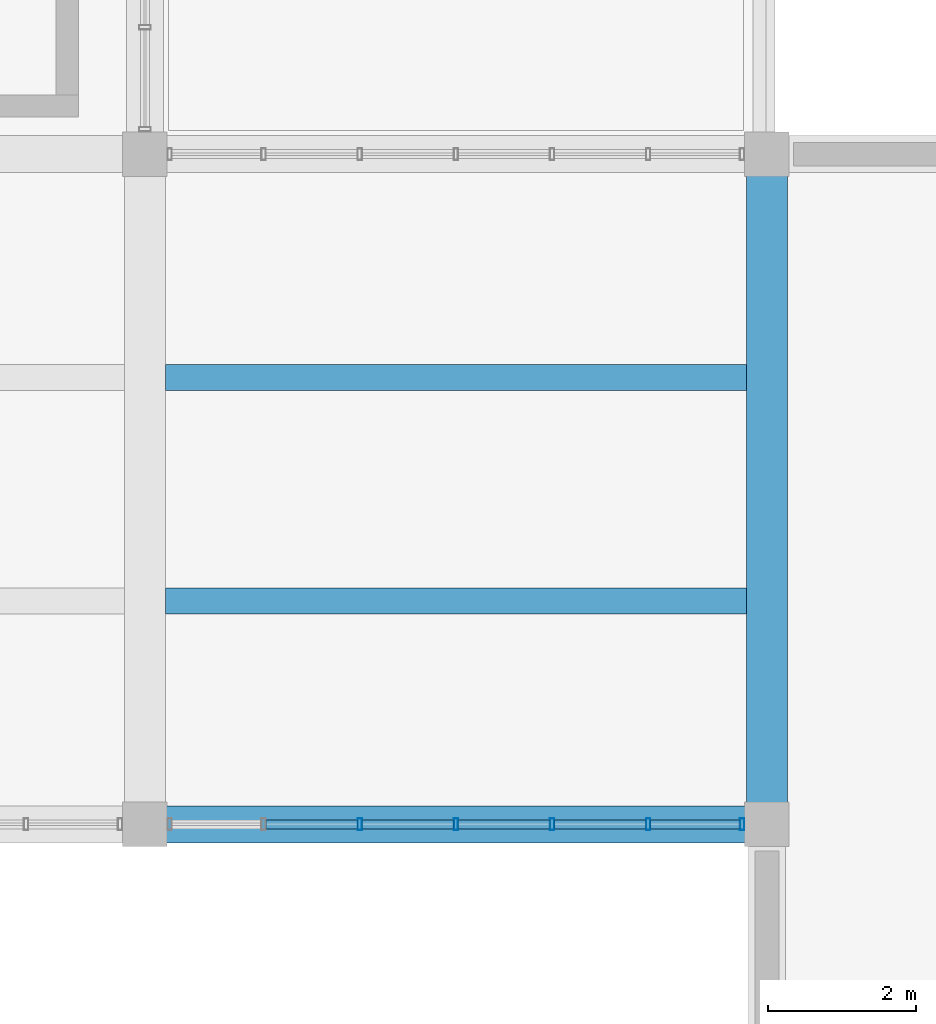
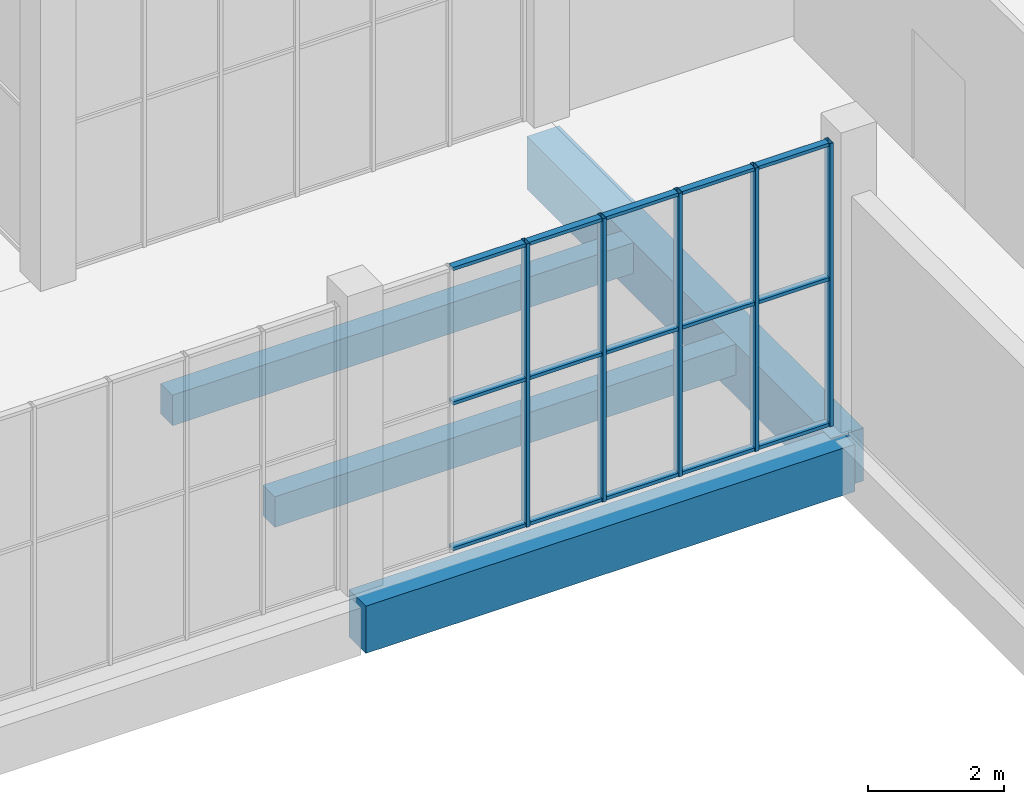
# One storey, part 78 of 132: 20 members, 4 beams, 1 element without a shape of its own.
"""IFC4 building model written with IfcOpenShell, lengths in metres."""

from ifc_helpers import new_model, si_unit, direction, frame, origin, origin_2d, place, context, subcontext, project, spatial, rectangle, hollow_rectangle, extrude, material, material_profile, profile_set, type_object, element, aggregate, save


model = new_model("IFC4")

# Units and contexts
model_context = context("Model", 3, precision=1e-05, world=origin(), true_north=direction((0.0, 1.0)))
body_context = subcontext(model_context, "Body", "Model", "MODEL_VIEW")
ifc_project = project(units=[si_unit("LENGTHUNIT", "METRE"), si_unit("AREAUNIT", "SQUARE_METRE"), si_unit("VOLUMEUNIT", "CUBIC_METRE"), si_unit("PLANEANGLEUNIT", "RADIAN"), si_unit("MASSUNIT", "GRAM", prefix="KILO")], contexts=[model_context])

# Site, building, storey
site_placement = place(None, origin())
site = spatial("IfcSite", under=ifc_project, at=site_placement, CompositionType="ELEMENT")
building_placement = place(site_placement, origin())
building = spatial("IfcBuilding", under=site, at=building_placement, Name="Khurvash Pelagic Aquarium", CompositionType="ELEMENT")
storey_placement = place(building_placement, frame((0.0, 0.0, 5.39990234375)))
storey = spatial("IfcBuildingStorey", under=building, at=storey_placement, Name="L01", CompositionType="ELEMENT", Elevation=5.39990234375)

# Beam
ifc_material_1 = material(Name="Concrete C40/50", Category="concrete")
ifc_material_profile_1 = material_profile(ifc_material_1, rectangle(XDim=0.550048828125, YDim=0.949951171875, at=origin_2d()), Name="RC550X950")
ifc_profile_set_1 = profile_set([ifc_material_profile_1], Name="Concrete C40/50")
beam_type_1 = type_object("IfcBeamType", Name="BM-02", PredefinedType="BEAM", material=ifc_profile_set_1)
beam_1_placement = place(storey_placement, frame((126.0, 75.0400390625, -0.784912109375), z_axis=(0.0, 1.0, 0.0), x_axis=(-1.0, 0.0, 0.0)))
element("IfcBeam", 1, at=beam_1_placement, inside=storey, type_object=beam_type_1, Name="L01 Primary Girder BM-02 00434", PredefinedType="BEAM", context=body_context, shape_type="SweptSolid", body=[
    extrude(rectangle(XDim=0.550048828125, YDim=0.949951171875, at=origin_2d()), origin(), (0.0, 0.0, 1.0), 8.969970703125),
])

# Curtain wall, members
ifc_material_2 = material(Name="Anodised aluminium and low-E laminated glass", Category="aluminium")
curtain_wall_type = type_object("IfcCurtainWallType", Name="CW-05", PredefinedType="USERDEFINED", material=ifc_material_2)
curtain_wall_placement = place(storey_placement, origin())
curtain_wall = element("IfcCurtainWall", 2, at=curtain_wall_placement, inside=storey, type_object=curtain_wall_type, Name="L01 Facade Unitised Curtain Wall CW-05 0143", ObjectType="UNITISED CURTAIN WALL", PredefinedType="USERDEFINED")
ifc_material_3 = material(Name="Extruded aluminium AW-6063-T6", Category="aluminium")
ifc_material_profile_2 = material_profile(ifc_material_3, hollow_rectangle(XDim=0.06005859375, YDim=0.159912109375, WallThickness=0.00390625, at=origin_2d()), Name="CWM60X160X4")
ifc_profile_set_2 = profile_set([ifc_material_profile_2], Name="Extruded aluminium AW-6063-T6")
member_type_1 = type_object("IfcMemberType", Name="CM-02", PredefinedType="MULLION", material=ifc_profile_set_2)
member_1_placement = place(storey_placement, frame((120.501708984375, 75.0, 0.0), z_axis=(0.0, 0.0, 1.0), x_axis=(1.0, 0.0, 0.0)))
member_1 = element("IfcMember", 3, at=member_1_placement, type_object=member_type_1, Name="CW-05 mullion 3", PredefinedType="MULLION", context=body_context, shape_type="SweptSolid", body=[
    extrude(hollow_rectangle(XDim=0.06005859375, YDim=0.159912109375, WallThickness=0.00390625, at=origin_2d()), origin(), (0.0, 0.0, 1.0), 5.10009765625),
])
member_2_placement = place(storey_placement, frame((121.800048828125, 75.0, 0.0), z_axis=(0.0, 0.0, 1.0), x_axis=(1.0, 0.0, 0.0)))
member_2 = element("IfcMember", 4, at=member_2_placement, type_object=member_type_1, Name="CW-05 mullion 4", PredefinedType="MULLION", context=body_context, shape_type="SweptSolid", body=[
    extrude(hollow_rectangle(XDim=0.06005859375, YDim=0.159912109375, WallThickness=0.00390625, at=origin_2d()), origin(), (0.0, 0.0, 1.0), 5.10009765625),
])
member_3_placement = place(storey_placement, frame((123.098388671875, 75.0, 0.0), z_axis=(0.0, 0.0, 1.0), x_axis=(1.0, 0.0, 0.0)))
member_3 = element("IfcMember", 5, at=member_3_placement, type_object=member_type_1, Name="CW-05 mullion 5", PredefinedType="MULLION", context=body_context, shape_type="SweptSolid", body=[
    extrude(hollow_rectangle(XDim=0.06005859375, YDim=0.159912109375, WallThickness=0.00390625, at=origin_2d()), origin(), (0.0, 0.0, 1.0), 5.10009765625),
])
member_4_placement = place(storey_placement, frame((124.396728515625, 75.0, 0.0), z_axis=(0.0, 0.0, 1.0), x_axis=(1.0, 0.0, 0.0)))
member_4 = element("IfcMember", 6, at=member_4_placement, type_object=member_type_1, Name="CW-05 mullion 6", PredefinedType="MULLION", context=body_context, shape_type="SweptSolid", body=[
    extrude(hollow_rectangle(XDim=0.06005859375, YDim=0.159912109375, WallThickness=0.00390625, at=origin_2d()), origin(), (0.0, 0.0, 1.0), 5.10009765625),
])
member_5_placement = place(storey_placement, frame((125.6650390625, 75.0, 0.0), z_axis=(0.0, 0.0, 1.0), x_axis=(1.0, 0.0, 0.0)))
member_5 = element("IfcMember", 7, at=member_5_placement, type_object=member_type_1, Name="CW-05 mullion 7", PredefinedType="MULLION", context=body_context, shape_type="SweptSolid", body=[
    extrude(hollow_rectangle(XDim=0.06005859375, YDim=0.159912109375, WallThickness=0.00390625, at=origin_2d()), origin(), (0.0, 0.0, 1.0), 5.10009765625),
])
ifc_material_profile_3 = material_profile(ifc_material_3, hollow_rectangle(XDim=0.1201171875, YDim=0.06005859375, WallThickness=0.00390625, at=origin_2d()), Name="CWT120X60X4")
ifc_profile_set_3 = profile_set([ifc_material_profile_3], Name="Extruded aluminium AW-6063-T6")
member_type_2 = type_object("IfcMemberType", Name="CT-02", PredefinedType="USERDEFINED", material=ifc_profile_set_3)
member_6_placement = place(storey_placement, frame((119.2333984375, 75.0, 0.030029296875), z_axis=(1.0, 0.0, 0.0), x_axis=(0.0, 1.0, 0.0)))
member_6 = element("IfcMember", 8, at=member_6_placement, type_object=member_type_2, Name="CW-05 transom 2.1", ObjectType="TRANSOM", PredefinedType="USERDEFINED", context=body_context, shape_type="SweptSolid", body=[
    extrude(hollow_rectangle(XDim=0.1201171875, YDim=0.06005859375, WallThickness=0.00390625, at=origin_2d()), origin(), (0.0, 0.0, 1.0), 1.23828125),
])
member_7_placement = place(storey_placement, frame((119.2333984375, 75.0, 2.652099609375), z_axis=(1.0, 0.0, 0.0), x_axis=(0.0, 1.0, 0.0)))
member_7 = element("IfcMember", 9, at=member_7_placement, type_object=member_type_2, Name="CW-05 transom 2.2", ObjectType="TRANSOM", PredefinedType="USERDEFINED", context=body_context, shape_type="SweptSolid", body=[
    extrude(hollow_rectangle(XDim=0.1201171875, YDim=0.06005859375, WallThickness=0.00390625, at=origin_2d()), origin(), (0.0, 0.0, 1.0), 1.23828125),
])
member_8_placement = place(storey_placement, frame((119.2333984375, 75.0, 5.070068359375), z_axis=(1.0, 0.0, 0.0), x_axis=(0.0, 1.0, 0.0)))
member_8 = element("IfcMember", 10, at=member_8_placement, type_object=member_type_2, Name="CW-05 transom 2.3", ObjectType="TRANSOM", PredefinedType="USERDEFINED", context=body_context, shape_type="SweptSolid", body=[
    extrude(hollow_rectangle(XDim=0.1201171875, YDim=0.06005859375, WallThickness=0.00390625, at=origin_2d()), origin(), (0.0, 0.0, 1.0), 1.23828125),
])
member_9_placement = place(storey_placement, frame((120.53173828125, 75.0, 0.030029296875), z_axis=(1.0, 0.0, 0.0), x_axis=(0.0, 1.0, 0.0)))
member_9 = element("IfcMember", 11, at=member_9_placement, type_object=member_type_2, Name="CW-05 transom 3.1", ObjectType="TRANSOM", PredefinedType="USERDEFINED", context=body_context, shape_type="SweptSolid", body=[
    extrude(hollow_rectangle(XDim=0.1201171875, YDim=0.06005859375, WallThickness=0.00390625, at=origin_2d()), origin(), (0.0, 0.0, 1.0), 1.23828125),
])
member_10_placement = place(storey_placement, frame((120.53173828125, 75.0, 2.652099609375), z_axis=(1.0, 0.0, 0.0), x_axis=(0.0, 1.0, 0.0)))
member_10 = element("IfcMember", 12, at=member_10_placement, type_object=member_type_2, Name="CW-05 transom 3.2", ObjectType="TRANSOM", PredefinedType="USERDEFINED", context=body_context, shape_type="SweptSolid", body=[
    extrude(hollow_rectangle(XDim=0.1201171875, YDim=0.06005859375, WallThickness=0.00390625, at=origin_2d()), origin(), (0.0, 0.0, 1.0), 1.23828125),
])
member_11_placement = place(storey_placement, frame((120.53173828125, 75.0, 5.070068359375), z_axis=(1.0, 0.0, 0.0), x_axis=(0.0, 1.0, 0.0)))
member_11 = element("IfcMember", 13, at=member_11_placement, type_object=member_type_2, Name="CW-05 transom 3.3", ObjectType="TRANSOM", PredefinedType="USERDEFINED", context=body_context, shape_type="SweptSolid", body=[
    extrude(hollow_rectangle(XDim=0.1201171875, YDim=0.06005859375, WallThickness=0.00390625, at=origin_2d()), origin(), (0.0, 0.0, 1.0), 1.23828125),
])
member_12_placement = place(storey_placement, frame((121.830078125, 75.0, 0.030029296875), z_axis=(1.0, 0.0, 0.0), x_axis=(0.0, 1.0, 0.0)))
member_12 = element("IfcMember", 14, at=member_12_placement, type_object=member_type_2, Name="CW-05 transom 4.1", ObjectType="TRANSOM", PredefinedType="USERDEFINED", context=body_context, shape_type="SweptSolid", body=[
    extrude(hollow_rectangle(XDim=0.1201171875, YDim=0.06005859375, WallThickness=0.00390625, at=origin_2d()), origin(), (0.0, 0.0, 1.0), 1.23828125),
])
member_13_placement = place(storey_placement, frame((121.830078125, 75.0, 2.652099609375), z_axis=(1.0, 0.0, 0.0), x_axis=(0.0, 1.0, 0.0)))
member_13 = element("IfcMember", 15, at=member_13_placement, type_object=member_type_2, Name="CW-05 transom 4.2", ObjectType="TRANSOM", PredefinedType="USERDEFINED", context=body_context, shape_type="SweptSolid", body=[
    extrude(hollow_rectangle(XDim=0.1201171875, YDim=0.06005859375, WallThickness=0.00390625, at=origin_2d()), origin(), (0.0, 0.0, 1.0), 1.23828125),
])
member_14_placement = place(storey_placement, frame((121.830078125, 75.0, 5.070068359375), z_axis=(1.0, 0.0, 0.0), x_axis=(0.0, 1.0, 0.0)))
member_14 = element("IfcMember", 16, at=member_14_placement, type_object=member_type_2, Name="CW-05 transom 4.3", ObjectType="TRANSOM", PredefinedType="USERDEFINED", context=body_context, shape_type="SweptSolid", body=[
    extrude(hollow_rectangle(XDim=0.1201171875, YDim=0.06005859375, WallThickness=0.00390625, at=origin_2d()), origin(), (0.0, 0.0, 1.0), 1.23828125),
])
member_15_placement = place(storey_placement, frame((123.12841796875, 75.0, 0.030029296875), z_axis=(1.0, 0.0, 0.0), x_axis=(0.0, 1.0, 0.0)))
member_15 = element("IfcMember", 17, at=member_15_placement, type_object=member_type_2, Name="CW-05 transom 5.1", ObjectType="TRANSOM", PredefinedType="USERDEFINED", context=body_context, shape_type="SweptSolid", body=[
    extrude(hollow_rectangle(XDim=0.1201171875, YDim=0.06005859375, WallThickness=0.00390625, at=origin_2d()), origin(), (0.0, 0.0, 1.0), 1.23828125),
])
member_16_placement = place(storey_placement, frame((123.12841796875, 75.0, 2.652099609375), z_axis=(1.0, 0.0, 0.0), x_axis=(0.0, 1.0, 0.0)))
member_16 = element("IfcMember", 18, at=member_16_placement, type_object=member_type_2, Name="CW-05 transom 5.2", ObjectType="TRANSOM", PredefinedType="USERDEFINED", context=body_context, shape_type="SweptSolid", body=[
    extrude(hollow_rectangle(XDim=0.1201171875, YDim=0.06005859375, WallThickness=0.00390625, at=origin_2d()), origin(), (0.0, 0.0, 1.0), 1.23828125),
])
member_17_placement = place(storey_placement, frame((123.12841796875, 75.0, 5.070068359375), z_axis=(1.0, 0.0, 0.0), x_axis=(0.0, 1.0, 0.0)))
member_17 = element("IfcMember", 19, at=member_17_placement, type_object=member_type_2, Name="CW-05 transom 5.3", ObjectType="TRANSOM", PredefinedType="USERDEFINED", context=body_context, shape_type="SweptSolid", body=[
    extrude(hollow_rectangle(XDim=0.1201171875, YDim=0.06005859375, WallThickness=0.00390625, at=origin_2d()), origin(), (0.0, 0.0, 1.0), 1.23828125),
])
member_18_placement = place(storey_placement, frame((124.4267578125, 75.0, 0.030029296875), z_axis=(1.0, 0.0, 0.0), x_axis=(0.0, 1.0, 0.0)))
member_18 = element("IfcMember", 20, at=member_18_placement, type_object=member_type_2, Name="CW-05 transom 6.1", ObjectType="TRANSOM", PredefinedType="USERDEFINED", context=body_context, shape_type="SweptSolid", body=[
    extrude(hollow_rectangle(XDim=0.1201171875, YDim=0.06005859375, WallThickness=0.00390625, at=origin_2d()), origin(), (0.0, 0.0, 1.0), 1.208251953125),
])
member_19_placement = place(storey_placement, frame((124.4267578125, 75.0, 2.652099609375), z_axis=(1.0, 0.0, 0.0), x_axis=(0.0, 1.0, 0.0)))
member_19 = element("IfcMember", 21, at=member_19_placement, type_object=member_type_2, Name="CW-05 transom 6.2", ObjectType="TRANSOM", PredefinedType="USERDEFINED", context=body_context, shape_type="SweptSolid", body=[
    extrude(hollow_rectangle(XDim=0.1201171875, YDim=0.06005859375, WallThickness=0.00390625, at=origin_2d()), origin(), (0.0, 0.0, 1.0), 1.208251953125),
])
member_20_placement = place(storey_placement, frame((124.4267578125, 75.0, 5.070068359375), z_axis=(1.0, 0.0, 0.0), x_axis=(0.0, 1.0, 0.0)))
member_20 = element("IfcMember", 22, at=member_20_placement, type_object=member_type_2, Name="CW-05 transom 6.3", ObjectType="TRANSOM", PredefinedType="USERDEFINED", context=body_context, shape_type="SweptSolid", body=[
    extrude(hollow_rectangle(XDim=0.1201171875, YDim=0.06005859375, WallThickness=0.00390625, at=origin_2d()), origin(), (0.0, 0.0, 1.0), 1.208251953125),
])
aggregate(curtain_wall, [member_1, member_2, member_3, member_4, member_5, member_6, member_7, member_8, member_9, member_10, member_11, member_12, member_13, member_14, member_15, member_16, member_17, member_18, member_19, member_20])

# Beams
ifc_material_4 = material(Name="Concrete C35/45", Category="concrete")
ifc_material_profile_4 = material_profile(ifc_material_4, rectangle(XDim=0.35009765625, YDim=0.550048828125, at=origin_2d()), Name="RC350X550")
ifc_profile_set_4 = profile_set([ifc_material_profile_4], Name="Concrete C35/45")
beam_type_2 = type_object("IfcBeamType", Name="JS-01", PredefinedType="JOIST", material=ifc_profile_set_4)
for number, where, z_axis, x_axis, name in (
    (23, (117.875, 78.01708984375, -0.5849609375), (1.0, 0.0, 0.0), (0.0, 1.0, 0.0), "L01 Floor Joist JS-01 00560"),
    (24, (117.875, 81.032958984375, -0.5849609375), (1.0, 0.0, 0.0), (0.0, 1.0, 0.0), "L01 Floor Joist JS-01 00561"),
):
    element("IfcBeam", number, at=place(storey_placement, frame(where, z_axis=z_axis, x_axis=x_axis)), inside=storey, type_object=beam_type_2, Name=name, PredefinedType="JOIST", context=body_context, shape_type="SweptSolid", body=[
        extrude(rectangle(XDim=0.35009765625, YDim=0.550048828125, at=origin_2d()), origin(), (0.0, 0.0, 1.0), 7.85009765625),
    ])
ifc_material_profile_5 = material_profile(ifc_material_1, rectangle(XDim=0.5, YDim=0.85009765625, at=origin_2d()), Name="RC500X850")
ifc_profile_set_5 = profile_set([ifc_material_profile_5], Name="Concrete C40/50")
beam_type_3 = type_object("IfcBeamType", Name="SEB-03", PredefinedType="SPANDREL", material=ifc_profile_set_5)
beam_2_placement = place(storey_placement, frame((117.639892578125, 75.0, -0.744873046875), z_axis=(1.0, 0.0, 0.0), x_axis=(0.0, 1.0, 0.0)))
element("IfcBeam", 25, at=beam_2_placement, inside=storey, type_object=beam_type_3, Name="L01 Primary Girder SEB-03 00305", PredefinedType="SPANDREL", context=body_context, shape_type="SweptSolid", body=[
    extrude(rectangle(XDim=0.5, YDim=0.85009765625, at=origin_2d()), origin(), (0.0, 0.0, 1.0), 8.320068359375),
])

save(model, "model.ifc")
